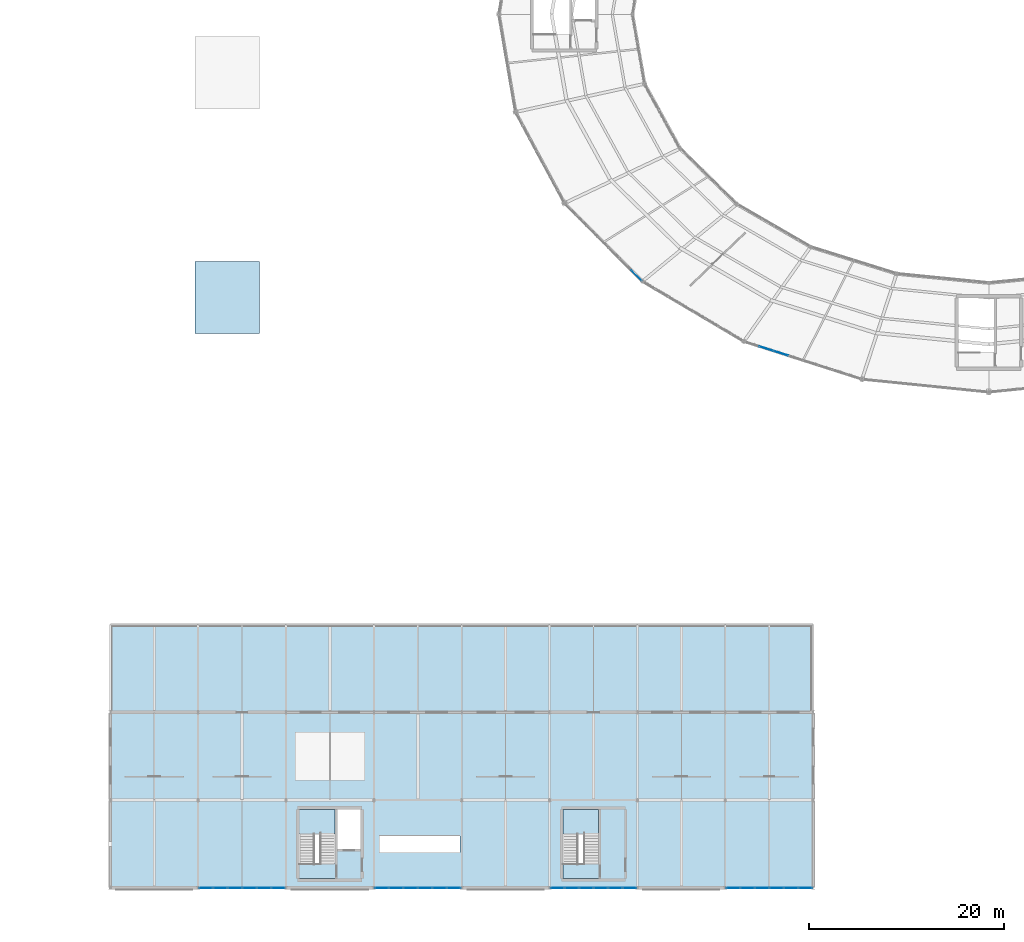
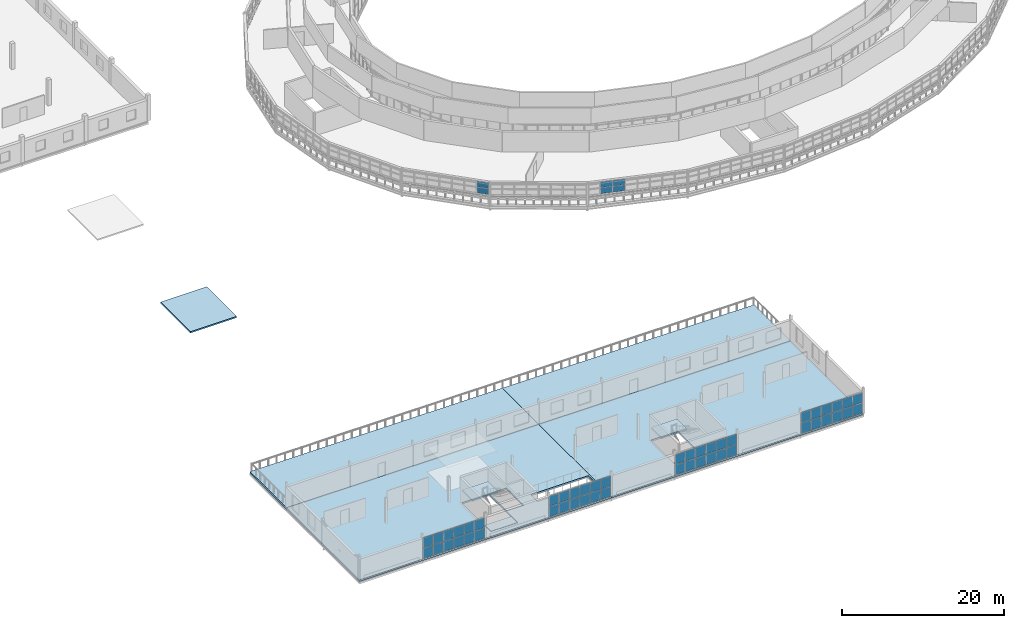
# One storey, part 76 of 123: 54 plates, 9 slabs, 8 elements without a shape of their own.
"""IFC4 building model written with IfcOpenShell, lengths in metres."""

from ifc_helpers import new_model, si_unit, direction, frame, origin, origin_2d, place, context, subcontext, project, spatial, polyline, rectangle, outline, extrude, material, layer, layer_set, type_object, element, aggregate, save


model = new_model("IFC4")

# Units and contexts
model_context = context("Model", 3, precision=1e-05, world=origin(), true_north=direction((0.0, 1.0)))
body_context = subcontext(model_context, "Body", "Model", "MODEL_VIEW")
ifc_project = project(units=[si_unit("LENGTHUNIT", "METRE"), si_unit("AREAUNIT", "SQUARE_METRE"), si_unit("VOLUMEUNIT", "CUBIC_METRE"), si_unit("PLANEANGLEUNIT", "RADIAN"), si_unit("MASSUNIT", "GRAM", prefix="KILO")], contexts=[model_context])

# Site, building, storey
site_placement = place(None, origin())
site = spatial("IfcSite", under=ifc_project, at=site_placement, CompositionType="ELEMENT")
building_placement = place(site_placement, origin())
building = spatial("IfcBuilding", under=site, at=building_placement, Name="Kildeholm Park Wholesale Market", CompositionType="ELEMENT")
storey_placement = place(building_placement, frame((0.0, 0.0, 9.60009765625)))
storey = spatial("IfcBuildingStorey", under=building, at=storey_placement, Name="L02", CompositionType="ELEMENT", Elevation=9.60009765625)

# Curtain wall, plates
ifc_material_1 = material(Name="Anodised aluminium and low-E double-glazed glass", Category="aluminium")
curtain_wall_type_1 = type_object("IfcCurtainWallType", Name="Park wing thermally broken curtain wall CW-03", PredefinedType="NOTDEFINED", material=ifc_material_1)
curtain_wall_1_placement = place(storey_placement, origin())
curtain_wall_1 = element("IfcCurtainWall", 1, at=curtain_wall_1_placement, inside=storey, type_object=curtain_wall_type_1, Name="Curtain wall CW-V5W-L02-S-02 CW-0147", PredefinedType="NOTDEFINED")
ifc_material_2 = material(Name="Triple-glazed solar-control glass", Category="glass")
ifc_layer_1 = layer(ifc_material_2, 0.035888671875)
ifc_layer_set_1 = layer_set([ifc_layer_1], Name="Triple-glazed solar-control glass")
plate_type_1 = type_object("IfcPlateType", Name="Curtain-wall panel CWP-2 36 mm", PredefinedType="CURTAIN_PANEL", material=ifc_layer_set_1)
plate_1_placement = place(storey_placement, frame((18.802001953125, 0.0, 0.07470703125), z_axis=(0.0, 0.0, 1.0), x_axis=(1.0, 0.0, 0.0)))
plate_1 = element("IfcPlate", 2, at=plate_1_placement, type_object=plate_type_1, Name="CW-03 panel 1.1 PLT-2172", PredefinedType="CURTAIN_PANEL", context=body_context, shape_type="SweptSolid", body=[
    extrude(rectangle(XDim=1.374267578125, YDim=0.035888671875, at=origin_2d()), origin(), (0.0, 0.0, 1.0), 1.512451171875),
])
plate_2_placement = place(storey_placement, frame((18.802001953125, 0.0, 1.66259765625), z_axis=(0.0, 0.0, 1.0), x_axis=(1.0, 0.0, 0.0)))
plate_2 = element("IfcPlate", 3, at=plate_2_placement, type_object=plate_type_1, Name="CW-03 panel 1.2 PLT-2173", PredefinedType="CURTAIN_PANEL", context=body_context, shape_type="SweptSolid", body=[
    extrude(rectangle(XDim=1.374267578125, YDim=0.035888671875, at=origin_2d()), origin(), (0.0, 0.0, 1.0), 1.512451171875),
])
plate_3_placement = place(storey_placement, frame((20.27001953125, 0.0, 0.07470703125), z_axis=(0.0, 0.0, 1.0), x_axis=(1.0, 0.0, 0.0)))
plate_3 = element("IfcPlate", 4, at=plate_3_placement, type_object=plate_type_1, Name="CW-03 panel 2.1 PLT-2174", PredefinedType="CURTAIN_PANEL", context=body_context, shape_type="SweptSolid", body=[
    extrude(rectangle(XDim=1.41162109375, YDim=0.035888671875, at=origin_2d()), origin(), (0.0, 0.0, 1.0), 1.512451171875),
])
plate_4_placement = place(storey_placement, frame((20.27001953125, 0.0, 1.66259765625), z_axis=(0.0, 0.0, 1.0), x_axis=(1.0, 0.0, 0.0)))
plate_4 = element("IfcPlate", 5, at=plate_4_placement, type_object=plate_type_1, Name="CW-03 panel 2.2 PLT-2175", PredefinedType="CURTAIN_PANEL", context=body_context, shape_type="SweptSolid", body=[
    extrude(rectangle(XDim=1.41162109375, YDim=0.035888671875, at=origin_2d()), origin(), (0.0, 0.0, 1.0), 1.512451171875),
])
plate_5_placement = place(storey_placement, frame((21.756591796875, 0.0, 0.07470703125), z_axis=(0.0, 0.0, 1.0), x_axis=(1.0, 0.0, 0.0)))
plate_5 = element("IfcPlate", 6, at=plate_5_placement, type_object=plate_type_1, Name="CW-03 panel 3.1 PLT-2176", PredefinedType="CURTAIN_PANEL", context=body_context, shape_type="SweptSolid", body=[
    extrude(rectangle(XDim=1.41162109375, YDim=0.035888671875, at=origin_2d()), origin(), (0.0, 0.0, 1.0), 1.512451171875),
])
plate_6_placement = place(storey_placement, frame((21.756591796875, 0.0, 1.66259765625), z_axis=(0.0, 0.0, 1.0), x_axis=(1.0, 0.0, 0.0)))
plate_6 = element("IfcPlate", 7, at=plate_6_placement, type_object=plate_type_1, Name="CW-03 panel 3.2 PLT-2177", PredefinedType="CURTAIN_PANEL", context=body_context, shape_type="SweptSolid", body=[
    extrude(rectangle(XDim=1.41162109375, YDim=0.035888671875, at=origin_2d()), origin(), (0.0, 0.0, 1.0), 1.512451171875),
])
plate_7_placement = place(storey_placement, frame((23.243408203125, 0.0, 0.07470703125), z_axis=(0.0, 0.0, 1.0), x_axis=(1.0, 0.0, 0.0)))
plate_7 = element("IfcPlate", 8, at=plate_7_placement, type_object=plate_type_1, Name="CW-03 panel 4.1 PLT-2178", PredefinedType="CURTAIN_PANEL", context=body_context, shape_type="SweptSolid", body=[
    extrude(rectangle(XDim=1.41162109375, YDim=0.035888671875, at=origin_2d()), origin(), (0.0, 0.0, 1.0), 1.512451171875),
])
plate_8_placement = place(storey_placement, frame((23.243408203125, 0.0, 1.66259765625), z_axis=(0.0, 0.0, 1.0), x_axis=(1.0, 0.0, 0.0)))
plate_8 = element("IfcPlate", 9, at=plate_8_placement, type_object=plate_type_1, Name="CW-03 panel 4.2 PLT-2179", PredefinedType="CURTAIN_PANEL", context=body_context, shape_type="SweptSolid", body=[
    extrude(rectangle(XDim=1.41162109375, YDim=0.035888671875, at=origin_2d()), origin(), (0.0, 0.0, 1.0), 1.512451171875),
])
plate_9_placement = place(storey_placement, frame((24.72998046875, 0.0, 0.07470703125), z_axis=(0.0, 0.0, 1.0), x_axis=(1.0, 0.0, 0.0)))
plate_9 = element("IfcPlate", 10, at=plate_9_placement, type_object=plate_type_1, Name="CW-03 panel 5.1 PLT-2180", PredefinedType="CURTAIN_PANEL", context=body_context, shape_type="SweptSolid", body=[
    extrude(rectangle(XDim=1.41162109375, YDim=0.035888671875, at=origin_2d()), origin(), (0.0, 0.0, 1.0), 1.512451171875),
])
plate_10_placement = place(storey_placement, frame((24.72998046875, 0.0, 1.66259765625), z_axis=(0.0, 0.0, 1.0), x_axis=(1.0, 0.0, 0.0)))
plate_10 = element("IfcPlate", 11, at=plate_10_placement, type_object=plate_type_1, Name="CW-03 panel 5.2 PLT-2181", PredefinedType="CURTAIN_PANEL", context=body_context, shape_type="SweptSolid", body=[
    extrude(rectangle(XDim=1.41162109375, YDim=0.035888671875, at=origin_2d()), origin(), (0.0, 0.0, 1.0), 1.512451171875),
])
plate_11_placement = place(storey_placement, frame((26.197998046875, 0.0, 0.07470703125), z_axis=(0.0, 0.0, 1.0), x_axis=(1.0, 0.0, 0.0)))
plate_11 = element("IfcPlate", 12, at=plate_11_placement, type_object=plate_type_1, Name="CW-03 panel 6.1 PLT-2182", PredefinedType="CURTAIN_PANEL", context=body_context, shape_type="SweptSolid", body=[
    extrude(rectangle(XDim=1.374267578125, YDim=0.035888671875, at=origin_2d()), origin(), (0.0, 0.0, 1.0), 1.512451171875),
])
plate_12_placement = place(storey_placement, frame((26.197998046875, 0.0, 1.66259765625), z_axis=(0.0, 0.0, 1.0), x_axis=(1.0, 0.0, 0.0)))
plate_12 = element("IfcPlate", 13, at=plate_12_placement, type_object=plate_type_1, Name="CW-03 panel 6.2 PLT-2183", PredefinedType="CURTAIN_PANEL", context=body_context, shape_type="SweptSolid", body=[
    extrude(rectangle(XDim=1.374267578125, YDim=0.035888671875, at=origin_2d()), origin(), (0.0, 0.0, 1.0), 1.512451171875),
])
aggregate(curtain_wall_1, [plate_1, plate_2, plate_3, plate_4, plate_5, plate_6, plate_7, plate_8, plate_9, plate_10, plate_11, plate_12])

curtain_wall_2_placement = place(storey_placement, origin())
curtain_wall_2 = element("IfcCurtainWall", 14, at=curtain_wall_2_placement, inside=storey, type_object=curtain_wall_type_1, Name="Curtain wall CW-V5W-L02-S-04 CW-0148", PredefinedType="NOTDEFINED")
plate_13_placement = place(storey_placement, frame((36.802001953125, 0.0, 0.07470703125), z_axis=(0.0, 0.0, 1.0), x_axis=(1.0, 0.0, 0.0)))
plate_13 = element("IfcPlate", 15, at=plate_13_placement, type_object=plate_type_1, Name="CW-03 panel 1.1 PLT-2184", PredefinedType="CURTAIN_PANEL", context=body_context, shape_type="SweptSolid", body=[
    extrude(rectangle(XDim=1.374267578125, YDim=0.035888671875, at=origin_2d()), origin(), (0.0, 0.0, 1.0), 1.512451171875),
])
plate_14_placement = place(storey_placement, frame((36.802001953125, 0.0, 1.66259765625), z_axis=(0.0, 0.0, 1.0), x_axis=(1.0, 0.0, 0.0)))
plate_14 = element("IfcPlate", 16, at=plate_14_placement, type_object=plate_type_1, Name="CW-03 panel 1.2 PLT-2185", PredefinedType="CURTAIN_PANEL", context=body_context, shape_type="SweptSolid", body=[
    extrude(rectangle(XDim=1.374267578125, YDim=0.035888671875, at=origin_2d()), origin(), (0.0, 0.0, 1.0), 1.512451171875),
])
plate_15_placement = place(storey_placement, frame((38.27001953125, 0.0, 0.07470703125), z_axis=(0.0, 0.0, 1.0), x_axis=(1.0, 0.0, 0.0)))
plate_15 = element("IfcPlate", 17, at=plate_15_placement, type_object=plate_type_1, Name="CW-03 panel 2.1 PLT-2186", PredefinedType="CURTAIN_PANEL", context=body_context, shape_type="SweptSolid", body=[
    extrude(rectangle(XDim=1.41162109375, YDim=0.035888671875, at=origin_2d()), origin(), (0.0, 0.0, 1.0), 1.512451171875),
])
plate_16_placement = place(storey_placement, frame((38.27001953125, 0.0, 1.66259765625), z_axis=(0.0, 0.0, 1.0), x_axis=(1.0, 0.0, 0.0)))
plate_16 = element("IfcPlate", 18, at=plate_16_placement, type_object=plate_type_1, Name="CW-03 panel 2.2 PLT-2187", PredefinedType="CURTAIN_PANEL", context=body_context, shape_type="SweptSolid", body=[
    extrude(rectangle(XDim=1.41162109375, YDim=0.035888671875, at=origin_2d()), origin(), (0.0, 0.0, 1.0), 1.512451171875),
])
plate_17_placement = place(storey_placement, frame((39.756591796875, 0.0, 0.07470703125), z_axis=(0.0, 0.0, 1.0), x_axis=(1.0, 0.0, 0.0)))
plate_17 = element("IfcPlate", 19, at=plate_17_placement, type_object=plate_type_1, Name="CW-03 panel 3.1 PLT-2188", PredefinedType="CURTAIN_PANEL", context=body_context, shape_type="SweptSolid", body=[
    extrude(rectangle(XDim=1.41162109375, YDim=0.035888671875, at=origin_2d()), origin(), (0.0, 0.0, 1.0), 1.512451171875),
])
plate_18_placement = place(storey_placement, frame((39.756591796875, 0.0, 1.66259765625), z_axis=(0.0, 0.0, 1.0), x_axis=(1.0, 0.0, 0.0)))
plate_18 = element("IfcPlate", 20, at=plate_18_placement, type_object=plate_type_1, Name="CW-03 panel 3.2 PLT-2189", PredefinedType="CURTAIN_PANEL", context=body_context, shape_type="SweptSolid", body=[
    extrude(rectangle(XDim=1.41162109375, YDim=0.035888671875, at=origin_2d()), origin(), (0.0, 0.0, 1.0), 1.512451171875),
])
plate_19_placement = place(storey_placement, frame((41.243408203125, 0.0, 0.07470703125), z_axis=(0.0, 0.0, 1.0), x_axis=(1.0, 0.0, 0.0)))
plate_19 = element("IfcPlate", 21, at=plate_19_placement, type_object=plate_type_1, Name="CW-03 panel 4.1 PLT-2190", PredefinedType="CURTAIN_PANEL", context=body_context, shape_type="SweptSolid", body=[
    extrude(rectangle(XDim=1.41162109375, YDim=0.035888671875, at=origin_2d()), origin(), (0.0, 0.0, 1.0), 1.512451171875),
])
plate_20_placement = place(storey_placement, frame((41.243408203125, 0.0, 1.66259765625), z_axis=(0.0, 0.0, 1.0), x_axis=(1.0, 0.0, 0.0)))
plate_20 = element("IfcPlate", 22, at=plate_20_placement, type_object=plate_type_1, Name="CW-03 panel 4.2 PLT-2191", PredefinedType="CURTAIN_PANEL", context=body_context, shape_type="SweptSolid", body=[
    extrude(rectangle(XDim=1.41162109375, YDim=0.035888671875, at=origin_2d()), origin(), (0.0, 0.0, 1.0), 1.512451171875),
])
plate_21_placement = place(storey_placement, frame((42.72998046875, 0.0, 0.07470703125), z_axis=(0.0, 0.0, 1.0), x_axis=(1.0, 0.0, 0.0)))
plate_21 = element("IfcPlate", 23, at=plate_21_placement, type_object=plate_type_1, Name="CW-03 panel 5.1 PLT-2192", PredefinedType="CURTAIN_PANEL", context=body_context, shape_type="SweptSolid", body=[
    extrude(rectangle(XDim=1.41162109375, YDim=0.035888671875, at=origin_2d()), origin(), (0.0, 0.0, 1.0), 1.512451171875),
])
plate_22_placement = place(storey_placement, frame((42.72998046875, 0.0, 1.66259765625), z_axis=(0.0, 0.0, 1.0), x_axis=(1.0, 0.0, 0.0)))
plate_22 = element("IfcPlate", 24, at=plate_22_placement, type_object=plate_type_1, Name="CW-03 panel 5.2 PLT-2193", PredefinedType="CURTAIN_PANEL", context=body_context, shape_type="SweptSolid", body=[
    extrude(rectangle(XDim=1.41162109375, YDim=0.035888671875, at=origin_2d()), origin(), (0.0, 0.0, 1.0), 1.512451171875),
])
plate_23_placement = place(storey_placement, frame((44.197998046875, 0.0, 0.07470703125), z_axis=(0.0, 0.0, 1.0), x_axis=(1.0, 0.0, 0.0)))
plate_23 = element("IfcPlate", 25, at=plate_23_placement, type_object=plate_type_1, Name="CW-03 panel 6.1 PLT-2194", PredefinedType="CURTAIN_PANEL", context=body_context, shape_type="SweptSolid", body=[
    extrude(rectangle(XDim=1.374267578125, YDim=0.035888671875, at=origin_2d()), origin(), (0.0, 0.0, 1.0), 1.512451171875),
])
plate_24_placement = place(storey_placement, frame((44.197998046875, 0.0, 1.66259765625), z_axis=(0.0, 0.0, 1.0), x_axis=(1.0, 0.0, 0.0)))
plate_24 = element("IfcPlate", 26, at=plate_24_placement, type_object=plate_type_1, Name="CW-03 panel 6.2 PLT-2195", PredefinedType="CURTAIN_PANEL", context=body_context, shape_type="SweptSolid", body=[
    extrude(rectangle(XDim=1.374267578125, YDim=0.035888671875, at=origin_2d()), origin(), (0.0, 0.0, 1.0), 1.512451171875),
])
aggregate(curtain_wall_2, [plate_13, plate_14, plate_15, plate_16, plate_17, plate_18, plate_19, plate_20, plate_21, plate_22, plate_23, plate_24])

curtain_wall_3_placement = place(storey_placement, origin())
curtain_wall_3 = element("IfcCurtainWall", 27, at=curtain_wall_3_placement, inside=storey, type_object=curtain_wall_type_1, Name="Curtain wall CW-V5W-L02-S-06 CW-0149", PredefinedType="NOTDEFINED")
plate_25_placement = place(storey_placement, frame((54.802001953125, 0.0, 0.07470703125), z_axis=(0.0, 0.0, 1.0), x_axis=(1.0, 0.0, 0.0)))
plate_25 = element("IfcPlate", 28, at=plate_25_placement, type_object=plate_type_1, Name="CW-03 panel 1.1 PLT-2196", PredefinedType="CURTAIN_PANEL", context=body_context, shape_type="SweptSolid", body=[
    extrude(rectangle(XDim=1.374267578125, YDim=0.035888671875, at=origin_2d()), origin(), (0.0, 0.0, 1.0), 1.512451171875),
])
plate_26_placement = place(storey_placement, frame((54.802001953125, 0.0, 1.66259765625), z_axis=(0.0, 0.0, 1.0), x_axis=(1.0, 0.0, 0.0)))
plate_26 = element("IfcPlate", 29, at=plate_26_placement, type_object=plate_type_1, Name="CW-03 panel 1.2 PLT-2197", PredefinedType="CURTAIN_PANEL", context=body_context, shape_type="SweptSolid", body=[
    extrude(rectangle(XDim=1.374267578125, YDim=0.035888671875, at=origin_2d()), origin(), (0.0, 0.0, 1.0), 1.512451171875),
])
plate_27_placement = place(storey_placement, frame((56.27001953125, 0.0, 0.07470703125), z_axis=(0.0, 0.0, 1.0), x_axis=(1.0, 0.0, 0.0)))
plate_27 = element("IfcPlate", 30, at=plate_27_placement, type_object=plate_type_1, Name="CW-03 panel 2.1 PLT-2198", PredefinedType="CURTAIN_PANEL", context=body_context, shape_type="SweptSolid", body=[
    extrude(rectangle(XDim=1.41162109375, YDim=0.035888671875, at=origin_2d()), origin(), (0.0, 0.0, 1.0), 1.512451171875),
])
plate_28_placement = place(storey_placement, frame((56.27001953125, 0.0, 1.66259765625), z_axis=(0.0, 0.0, 1.0), x_axis=(1.0, 0.0, 0.0)))
plate_28 = element("IfcPlate", 31, at=plate_28_placement, type_object=plate_type_1, Name="CW-03 panel 2.2 PLT-2199", PredefinedType="CURTAIN_PANEL", context=body_context, shape_type="SweptSolid", body=[
    extrude(rectangle(XDim=1.41162109375, YDim=0.035888671875, at=origin_2d()), origin(), (0.0, 0.0, 1.0), 1.512451171875),
])
plate_29_placement = place(storey_placement, frame((57.756591796875, 0.0, 0.07470703125), z_axis=(0.0, 0.0, 1.0), x_axis=(1.0, 0.0, 0.0)))
plate_29 = element("IfcPlate", 32, at=plate_29_placement, type_object=plate_type_1, Name="CW-03 panel 3.1 PLT-2200", PredefinedType="CURTAIN_PANEL", context=body_context, shape_type="SweptSolid", body=[
    extrude(rectangle(XDim=1.41162109375, YDim=0.035888671875, at=origin_2d()), origin(), (0.0, 0.0, 1.0), 1.512451171875),
])
plate_30_placement = place(storey_placement, frame((57.756591796875, 0.0, 1.66259765625), z_axis=(0.0, 0.0, 1.0), x_axis=(1.0, 0.0, 0.0)))
plate_30 = element("IfcPlate", 33, at=plate_30_placement, type_object=plate_type_1, Name="CW-03 panel 3.2 PLT-2201", PredefinedType="CURTAIN_PANEL", context=body_context, shape_type="SweptSolid", body=[
    extrude(rectangle(XDim=1.41162109375, YDim=0.035888671875, at=origin_2d()), origin(), (0.0, 0.0, 1.0), 1.512451171875),
])
plate_31_placement = place(storey_placement, frame((59.243408203125, 0.0, 0.07470703125), z_axis=(0.0, 0.0, 1.0), x_axis=(1.0, 0.0, 0.0)))
plate_31 = element("IfcPlate", 34, at=plate_31_placement, type_object=plate_type_1, Name="CW-03 panel 4.1 PLT-2202", PredefinedType="CURTAIN_PANEL", context=body_context, shape_type="SweptSolid", body=[
    extrude(rectangle(XDim=1.41162109375, YDim=0.035888671875, at=origin_2d()), origin(), (0.0, 0.0, 1.0), 1.512451171875),
])
plate_32_placement = place(storey_placement, frame((59.243408203125, 0.0, 1.66259765625), z_axis=(0.0, 0.0, 1.0), x_axis=(1.0, 0.0, 0.0)))
plate_32 = element("IfcPlate", 35, at=plate_32_placement, type_object=plate_type_1, Name="CW-03 panel 4.2 PLT-2203", PredefinedType="CURTAIN_PANEL", context=body_context, shape_type="SweptSolid", body=[
    extrude(rectangle(XDim=1.41162109375, YDim=0.035888671875, at=origin_2d()), origin(), (0.0, 0.0, 1.0), 1.512451171875),
])
plate_33_placement = place(storey_placement, frame((60.72998046875, 0.0, 0.07470703125), z_axis=(0.0, 0.0, 1.0), x_axis=(1.0, 0.0, 0.0)))
plate_33 = element("IfcPlate", 36, at=plate_33_placement, type_object=plate_type_1, Name="CW-03 panel 5.1 PLT-2204", PredefinedType="CURTAIN_PANEL", context=body_context, shape_type="SweptSolid", body=[
    extrude(rectangle(XDim=1.41162109375, YDim=0.035888671875, at=origin_2d()), origin(), (0.0, 0.0, 1.0), 1.512451171875),
])
plate_34_placement = place(storey_placement, frame((60.72998046875, 0.0, 1.66259765625), z_axis=(0.0, 0.0, 1.0), x_axis=(1.0, 0.0, 0.0)))
plate_34 = element("IfcPlate", 37, at=plate_34_placement, type_object=plate_type_1, Name="CW-03 panel 5.2 PLT-2205", PredefinedType="CURTAIN_PANEL", context=body_context, shape_type="SweptSolid", body=[
    extrude(rectangle(XDim=1.41162109375, YDim=0.035888671875, at=origin_2d()), origin(), (0.0, 0.0, 1.0), 1.512451171875),
])
plate_35_placement = place(storey_placement, frame((62.197998046875, 0.0, 0.07470703125), z_axis=(0.0, 0.0, 1.0), x_axis=(1.0, 0.0, 0.0)))
plate_35 = element("IfcPlate", 38, at=plate_35_placement, type_object=plate_type_1, Name="CW-03 panel 6.1 PLT-2206", PredefinedType="CURTAIN_PANEL", context=body_context, shape_type="SweptSolid", body=[
    extrude(rectangle(XDim=1.374267578125, YDim=0.035888671875, at=origin_2d()), origin(), (0.0, 0.0, 1.0), 1.512451171875),
])
plate_36_placement = place(storey_placement, frame((62.197998046875, 0.0, 1.66259765625), z_axis=(0.0, 0.0, 1.0), x_axis=(1.0, 0.0, 0.0)))
plate_36 = element("IfcPlate", 39, at=plate_36_placement, type_object=plate_type_1, Name="CW-03 panel 6.2 PLT-2207", PredefinedType="CURTAIN_PANEL", context=body_context, shape_type="SweptSolid", body=[
    extrude(rectangle(XDim=1.374267578125, YDim=0.035888671875, at=origin_2d()), origin(), (0.0, 0.0, 1.0), 1.512451171875),
])
aggregate(curtain_wall_3, [plate_25, plate_26, plate_27, plate_28, plate_29, plate_30, plate_31, plate_32, plate_33, plate_34, plate_35, plate_36])

curtain_wall_4_placement = place(storey_placement, origin())
curtain_wall_4 = element("IfcCurtainWall", 40, at=curtain_wall_4_placement, inside=storey, type_object=curtain_wall_type_1, Name="Curtain wall CW-V5W-L02-S-08 CW-0150", PredefinedType="NOTDEFINED")
plate_37_placement = place(storey_placement, frame((72.802001953125, 0.0, 0.07470703125), z_axis=(0.0, 0.0, 1.0), x_axis=(1.0, 0.0, 0.0)))
plate_37 = element("IfcPlate", 41, at=plate_37_placement, type_object=plate_type_1, Name="CW-03 panel 1.1 PLT-2208", PredefinedType="CURTAIN_PANEL", context=body_context, shape_type="SweptSolid", body=[
    extrude(rectangle(XDim=1.374267578125, YDim=0.035888671875, at=origin_2d()), origin(), (0.0, 0.0, 1.0), 1.512451171875),
])
plate_38_placement = place(storey_placement, frame((72.802001953125, 0.0, 1.66259765625), z_axis=(0.0, 0.0, 1.0), x_axis=(1.0, 0.0, 0.0)))
plate_38 = element("IfcPlate", 42, at=plate_38_placement, type_object=plate_type_1, Name="CW-03 panel 1.2 PLT-2209", PredefinedType="CURTAIN_PANEL", context=body_context, shape_type="SweptSolid", body=[
    extrude(rectangle(XDim=1.374267578125, YDim=0.035888671875, at=origin_2d()), origin(), (0.0, 0.0, 1.0), 1.512451171875),
])
plate_39_placement = place(storey_placement, frame((74.27001953125, 0.0, 0.07470703125), z_axis=(0.0, 0.0, 1.0), x_axis=(1.0, 0.0, 0.0)))
plate_39 = element("IfcPlate", 43, at=plate_39_placement, type_object=plate_type_1, Name="CW-03 panel 2.1 PLT-2210", PredefinedType="CURTAIN_PANEL", context=body_context, shape_type="SweptSolid", body=[
    extrude(rectangle(XDim=1.41162109375, YDim=0.035888671875, at=origin_2d()), origin(), (0.0, 0.0, 1.0), 1.512451171875),
])
plate_40_placement = place(storey_placement, frame((74.27001953125, 0.0, 1.66259765625), z_axis=(0.0, 0.0, 1.0), x_axis=(1.0, 0.0, 0.0)))
plate_40 = element("IfcPlate", 44, at=plate_40_placement, type_object=plate_type_1, Name="CW-03 panel 2.2 PLT-2211", PredefinedType="CURTAIN_PANEL", context=body_context, shape_type="SweptSolid", body=[
    extrude(rectangle(XDim=1.41162109375, YDim=0.035888671875, at=origin_2d()), origin(), (0.0, 0.0, 1.0), 1.512451171875),
])
plate_41_placement = place(storey_placement, frame((75.756591796875, 0.0, 0.07470703125), z_axis=(0.0, 0.0, 1.0), x_axis=(1.0, 0.0, 0.0)))
plate_41 = element("IfcPlate", 45, at=plate_41_placement, type_object=plate_type_1, Name="CW-03 panel 3.1 PLT-2212", PredefinedType="CURTAIN_PANEL", context=body_context, shape_type="SweptSolid", body=[
    extrude(rectangle(XDim=1.41162109375, YDim=0.035888671875, at=origin_2d()), origin(), (0.0, 0.0, 1.0), 1.512451171875),
])
plate_42_placement = place(storey_placement, frame((75.756591796875, 0.0, 1.66259765625), z_axis=(0.0, 0.0, 1.0), x_axis=(1.0, 0.0, 0.0)))
plate_42 = element("IfcPlate", 46, at=plate_42_placement, type_object=plate_type_1, Name="CW-03 panel 3.2 PLT-2213", PredefinedType="CURTAIN_PANEL", context=body_context, shape_type="SweptSolid", body=[
    extrude(rectangle(XDim=1.41162109375, YDim=0.035888671875, at=origin_2d()), origin(), (0.0, 0.0, 1.0), 1.512451171875),
])
plate_43_placement = place(storey_placement, frame((77.243408203125, 0.0, 0.07470703125), z_axis=(0.0, 0.0, 1.0), x_axis=(1.0, 0.0, 0.0)))
plate_43 = element("IfcPlate", 47, at=plate_43_placement, type_object=plate_type_1, Name="CW-03 panel 4.1 PLT-2214", PredefinedType="CURTAIN_PANEL", context=body_context, shape_type="SweptSolid", body=[
    extrude(rectangle(XDim=1.41162109375, YDim=0.035888671875, at=origin_2d()), origin(), (0.0, 0.0, 1.0), 1.512451171875),
])
plate_44_placement = place(storey_placement, frame((77.243408203125, 0.0, 1.66259765625), z_axis=(0.0, 0.0, 1.0), x_axis=(1.0, 0.0, 0.0)))
plate_44 = element("IfcPlate", 48, at=plate_44_placement, type_object=plate_type_1, Name="CW-03 panel 4.2 PLT-2215", PredefinedType="CURTAIN_PANEL", context=body_context, shape_type="SweptSolid", body=[
    extrude(rectangle(XDim=1.41162109375, YDim=0.035888671875, at=origin_2d()), origin(), (0.0, 0.0, 1.0), 1.512451171875),
])
plate_45_placement = place(storey_placement, frame((78.72998046875, 0.0, 0.07470703125), z_axis=(0.0, 0.0, 1.0), x_axis=(1.0, 0.0, 0.0)))
plate_45 = element("IfcPlate", 49, at=plate_45_placement, type_object=plate_type_1, Name="CW-03 panel 5.1 PLT-2216", PredefinedType="CURTAIN_PANEL", context=body_context, shape_type="SweptSolid", body=[
    extrude(rectangle(XDim=1.41162109375, YDim=0.035888671875, at=origin_2d()), origin(), (0.0, 0.0, 1.0), 1.512451171875),
])
plate_46_placement = place(storey_placement, frame((78.72998046875, 0.0, 1.66259765625), z_axis=(0.0, 0.0, 1.0), x_axis=(1.0, 0.0, 0.0)))
plate_46 = element("IfcPlate", 50, at=plate_46_placement, type_object=plate_type_1, Name="CW-03 panel 5.2 PLT-2217", PredefinedType="CURTAIN_PANEL", context=body_context, shape_type="SweptSolid", body=[
    extrude(rectangle(XDim=1.41162109375, YDim=0.035888671875, at=origin_2d()), origin(), (0.0, 0.0, 1.0), 1.512451171875),
])
plate_47_placement = place(storey_placement, frame((80.197998046875, 0.0, 0.07470703125), z_axis=(0.0, 0.0, 1.0), x_axis=(1.0, 0.0, 0.0)))
plate_47 = element("IfcPlate", 51, at=plate_47_placement, type_object=plate_type_1, Name="CW-03 panel 6.1 PLT-2218", PredefinedType="CURTAIN_PANEL", context=body_context, shape_type="SweptSolid", body=[
    extrude(rectangle(XDim=1.374267578125, YDim=0.035888671875, at=origin_2d()), origin(), (0.0, 0.0, 1.0), 1.512451171875),
])
plate_48_placement = place(storey_placement, frame((80.197998046875, 0.0, 1.66259765625), z_axis=(0.0, 0.0, 1.0), x_axis=(1.0, 0.0, 0.0)))
plate_48 = element("IfcPlate", 52, at=plate_48_placement, type_object=plate_type_1, Name="CW-03 panel 6.2 PLT-2219", PredefinedType="CURTAIN_PANEL", context=body_context, shape_type="SweptSolid", body=[
    extrude(rectangle(XDim=1.374267578125, YDim=0.035888671875, at=origin_2d()), origin(), (0.0, 0.0, 1.0), 1.512451171875),
])
aggregate(curtain_wall_4, [plate_37, plate_38, plate_39, plate_40, plate_41, plate_42, plate_43, plate_44, plate_45, plate_46, plate_47, plate_48])

curtain_wall_type_2 = type_object("IfcCurtainWallType", Name="Clerestory daylight stick curtain wall CW-02", PredefinedType="NOTDEFINED", material=ifc_material_1)
curtain_wall_5_placement = place(storey_placement, origin())
curtain_wall_5 = element("IfcCurtainWall", 53, at=curtain_wall_5_placement, inside=storey, type_object=curtain_wall_type_2, Name="Curtain wall CW-V1-CL-14 CW-0070", PredefinedType="NOTDEFINED")
ifc_material_3 = material(Name="Fritted solar-control clerestory glass", Category="glass")
ifc_layer_2 = layer(ifc_material_3, 0.031982421875)
ifc_layer_set_2 = layer_set([ifc_layer_2], Name="Fritted solar-control clerestory glass")
plate_type_2 = type_object("IfcPlateType", Name="Curtain-wall panel CWP-4 32 mm", PredefinedType="CURTAIN_PANEL", material=ifc_layer_set_2)
plate_49_placement = place(storey_placement, frame((62.8935546875, 62.739013671875, 1.40966796875), z_axis=(0.0, 0.0, 1.0), x_axis=(0.705412692399, -0.708796820959, 0.0)))
plate_49 = element("IfcPlate", 54, at=plate_49_placement, type_object=plate_type_2, Name="CW-02 panel 7.1 PLT-1094", PredefinedType="CURTAIN_PANEL", context=body_context, shape_type="SweptSolid", body=[
    extrude(rectangle(XDim=1.51416015625, YDim=0.031982421875, at=origin_2d()), origin(), (0.0, 0.0, 1.0), 0.860107421875),
])
plate_50_placement = place(storey_placement, frame((62.8935546875, 62.739013671875, 2.330078125), z_axis=(0.0, 0.0, 1.0), x_axis=(0.705412692399, -0.708796820959, 0.0)))
plate_50 = element("IfcPlate", 55, at=plate_50_placement, type_object=plate_type_2, Name="CW-02 panel 7.2 PLT-1095", PredefinedType="CURTAIN_PANEL", context=body_context, shape_type="SweptSolid", body=[
    extrude(rectangle(XDim=1.51416015625, YDim=0.031982421875, at=origin_2d()), origin(), (0.0, 0.0, 1.0), 0.860107421875),
])
aggregate(curtain_wall_5, [plate_49, plate_50])

curtain_wall_6_placement = place(storey_placement, origin())
curtain_wall_6 = element("IfcCurtainWall", 56, at=curtain_wall_6_placement, inside=storey, type_object=curtain_wall_type_2, Name="Curtain wall CW-V1-CL-16 CW-0080", PredefinedType="NOTDEFINED")
plate_51_placement = place(storey_placement, frame((76.19189453125, 55.24853515625, 1.40966796875), z_axis=(0.0, 0.0, 1.0), x_axis=(0.952606009241, -0.304206822997, 0.0)))
plate_51 = element("IfcPlate", 57, at=plate_51_placement, type_object=plate_type_2, Name="CW-02 panel 2.1 PLT-1218", PredefinedType="CURTAIN_PANEL", context=body_context, shape_type="SweptSolid", body=[
    extrude(rectangle(XDim=1.518798828125, YDim=0.031982421875, at=origin_2d()), origin(), (0.0, 0.0, 1.0), 0.860107421875),
])
plate_52_placement = place(storey_placement, frame((76.19189453125, 55.24853515625, 2.330078125), z_axis=(0.0, 0.0, 1.0), x_axis=(0.952606009241, -0.304206822997, 0.0)))
plate_52 = element("IfcPlate", 58, at=plate_52_placement, type_object=plate_type_2, Name="CW-02 panel 2.2 PLT-1219", PredefinedType="CURTAIN_PANEL", context=body_context, shape_type="SweptSolid", body=[
    extrude(rectangle(XDim=1.518798828125, YDim=0.031982421875, at=origin_2d()), origin(), (0.0, 0.0, 1.0), 0.860107421875),
])
plate_53_placement = place(storey_placement, frame((77.69580078125, 54.768310546875, 1.40966796875), z_axis=(0.0, 0.0, 1.0), x_axis=(0.952606009241, -0.304206822997, 0.0)))
plate_53 = element("IfcPlate", 59, at=plate_53_placement, type_object=plate_type_2, Name="CW-02 panel 3.1 PLT-1220", PredefinedType="CURTAIN_PANEL", context=body_context, shape_type="SweptSolid", body=[
    extrude(rectangle(XDim=1.518798828125, YDim=0.031982421875, at=origin_2d()), origin(), (0.0, 0.0, 1.0), 0.860107421875),
])
plate_54_placement = place(storey_placement, frame((77.69580078125, 54.768310546875, 2.330078125), z_axis=(0.0, 0.0, 1.0), x_axis=(0.952606009241, -0.304206822997, 0.0)))
plate_54 = element("IfcPlate", 60, at=plate_54_placement, type_object=plate_type_2, Name="CW-02 panel 3.2 PLT-1221", PredefinedType="CURTAIN_PANEL", context=body_context, shape_type="SweptSolid", body=[
    extrude(rectangle(XDim=1.518798828125, YDim=0.031982421875, at=origin_2d()), origin(), (0.0, 0.0, 1.0), 0.860107421875),
])
aggregate(curtain_wall_6, [plate_51, plate_52, plate_53, plate_54])

# Slabs
ifc_material_4 = material(Name="Concrete C35/45", Category="concrete")
ifc_layer_3 = layer(ifc_material_4, 0.239990234375)
ifc_layer_set_3 = layer_set([ifc_layer_3], Name="Concrete C35/45")
slab_type_1 = type_object("IfcSlabType", Name="Slab S-FL2 240 mm", PredefinedType="FLOOR", material=ifc_layer_set_3)
slab_1_placement = place(storey_placement, frame((0.0, 0.0, -0.239990234375)))
element("IfcSlab", 61, at=slab_1_placement, inside=storey, type_object=slab_type_1, Name="V5W L02 slab M part 1 SLB-0372", PredefinedType="FLOOR", context=body_context, shape_type="SweptSolid", body=[
    extrude(outline(polyline([(9.0, 18.0), (45.0, 18.0), (45.0, 0.0), (9.0, 0.0), (9.0, 18.0)]), holes=[polyline([(32.179931640625, 8.080078125), (28.320068359375, 8.080078125), (28.320068359375, 0.919921875), (32.179931640625, 0.919921875), (32.179931640625, 8.080078125)]), polyline([(44.800048828125, 5.340087890625), (36.60009765625, 5.340087890625), (36.60009765625, 3.659912109375), (44.800048828125, 3.659912109375), (44.800048828125, 5.340087890625)]), polyline([(34.679931640625, 3.820068359375), (34.679931640625, 8.080078125), (32.280029296875, 8.080078125), (32.280029296875, 3.820068359375), (34.679931640625, 3.820068359375)])]), origin(), (0.0, 0.0, 1.0), 0.239990234375),
])
slab_2_placement = place(storey_placement, frame((0.0, 0.0, -0.239990234375)))
element("IfcSlab", 62, at=slab_2_placement, inside=storey, type_object=slab_type_1, Name="V5W L02 slab M part 2 SLB-0373", PredefinedType="FLOOR", context=body_context, shape_type="SweptSolid", body=[
    extrude(outline(polyline([(45.0, 18.0), (81.0, 18.0), (81.0, 0.0), (45.0, 0.0), (45.0, 18.0)]), holes=[polyline([(59.179931640625, 8.080078125), (55.320068359375, 8.080078125), (55.320068359375, 0.919921875), (59.179931640625, 0.919921875), (59.179931640625, 8.080078125)])]), origin(), (0.0, 0.0, 1.0), 0.239990234375),
])
ifc_layer_4 = layer(ifc_material_4, 0.199951171875)
ifc_layer_set_4 = layer_set([ifc_layer_4], Name="Concrete C35/45")
slab_type_2 = type_object("IfcSlabType", Name="Slab S-RF3 200 mm", PredefinedType="ROOF", material=ifc_layer_set_4)
slab_3_placement = place(storey_placement, frame((0.0, 0.0, -0.2001953125)))
element("IfcSlab", 63, at=slab_3_placement, inside=storey, type_object=slab_type_2, Name="Core C14 overrun cap slab SLB-0484", PredefinedType="ROOF", context=body_context, shape_type="SweptSolid", body=[
    extrude(outline(polyline([(17.699951171875, 64.199951171875), (24.300048828125, 64.199951171875), (24.300048828125, 56.800048828125), (17.699951171875, 56.800048828125), (17.699951171875, 64.199951171875)])), origin(), (0.0, 0.0, 1.0), 0.2001953125),
])
ifc_material_5 = material(Name="Concrete C40/50", Category="concrete")
ifc_layer_5 = layer(ifc_material_5, 0.2900390625)
ifc_layer_set_5 = layer_set([ifc_layer_5], Name="Concrete C40/50")
slab_type_3 = type_object("IfcSlabType", Name="Slab S-TR1 290 mm", PredefinedType="ROOF", material=ifc_layer_set_5)
slab_4_placement = place(storey_placement, frame((0.0, 0.0, -0.2900390625)))
element("IfcSlab", 64, at=slab_4_placement, inside=storey, type_object=slab_type_3, Name="V5W L02 slab TER part 1 SLB-0370", PredefinedType="ROOF", context=body_context, shape_type="SweptSolid", body=[
    extrude(outline(polyline([(9.0, 27.0), (45.0, 27.0), (45.0, 18.0), (9.0, 18.0), (9.0, 27.0)])), origin(), (0.0, 0.0, 1.0), 0.2900390625),
])
slab_5_placement = place(storey_placement, frame((0.0, 0.0, -0.2900390625)))
element("IfcSlab", 65, at=slab_5_placement, inside=storey, type_object=slab_type_3, Name="V5W L02 slab TER part 2 SLB-0371", PredefinedType="ROOF", context=body_context, shape_type="SweptSolid", body=[
    extrude(outline(polyline([(45.0, 27.0), (81.0, 27.0), (81.0, 18.0), (45.0, 18.0), (45.0, 27.0)])), origin(), (0.0, 0.0, 1.0), 0.2900390625),
])
ifc_layer_6 = layer(ifc_material_4, 0.239990234375)
ifc_layer_set_6 = layer_set([ifc_layer_6], Name="Concrete C35/45")
slab_type_4 = type_object("IfcSlabType", Name="Stair landing slab S-LD1 240 mm", PredefinedType="LANDING", material=ifc_layer_set_6)
slab_6_placement = place(storey_placement, frame((0.0, 0.0, -0.239990234375)))
element("IfcSlab", 66, at=slab_6_placement, inside=storey, type_object=slab_type_4, Name="Core C04 stair landing slab L02 SLB-0423", PredefinedType="LANDING", context=body_context, shape_type="SweptSolid", body=[
    extrude(outline(polyline([(28.35009765625, 0.949951171875), (32.14990234375, 0.949951171875), (32.14990234375, 2.5), (28.35009765625, 2.5), (28.35009765625, 0.949951171875)])), origin(), (0.0, 0.0, 1.0), 0.239990234375),
])

# Stair, slab
stair_type = type_object("IfcStairType", Name="Protected upper core escape stair ST-CR2", PredefinedType="HALF_TURN_STAIR", material=ifc_material_4)
stair_1_placement = place(storey_placement, origin())
stair_1 = element("IfcStair", 67, at=stair_1_placement, inside=storey, type_object=stair_type, Name="Escape stair C04 L02 STR-0010", PredefinedType="HALF_TURN_STAIR")
slab_7_placement = place(storey_placement, frame((0.0, 0.0, 1.7099609375)))
slab_7 = element("IfcSlab", 68, at=slab_7_placement, type_object=slab_type_4, Name="ST-04-02 landing 1 SLB-0424", PredefinedType="LANDING", context=body_context, shape_type="SweptSolid", body=[
    extrude(outline(polyline([(28.35009765625, 5.514892578125), (32.030029296875, 5.534912109375), (32.030029296875, 8.050048828125), (28.35009765625, 8.050048828125), (28.35009765625, 5.514892578125)])), origin(), (0.0, 0.0, 1.0), 0.239990234375),
])
aggregate(stair_1, [slab_7])

# Slab
slab_8_placement = place(storey_placement, frame((0.0, 0.0, -0.239990234375)))
element("IfcSlab", 69, at=slab_8_placement, inside=storey, type_object=slab_type_4, Name="Core C05 stair landing slab L02 SLB-0430", PredefinedType="LANDING", context=body_context, shape_type="SweptSolid", body=[
    extrude(outline(polyline([(55.35009765625, 0.949951171875), (59.14990234375, 0.949951171875), (59.14990234375, 2.5), (55.35009765625, 2.5), (55.35009765625, 0.949951171875)])), origin(), (0.0, 0.0, 1.0), 0.239990234375),
])

# Stair, slab
stair_2_placement = place(storey_placement, origin())
stair_2 = element("IfcStair", 70, at=stair_2_placement, inside=storey, type_object=stair_type, Name="Escape stair C05 L02 STR-0013", PredefinedType="HALF_TURN_STAIR")
slab_9_placement = place(storey_placement, frame((0.0, 0.0, 1.7099609375)))
slab_9 = element("IfcSlab", 71, at=slab_9_placement, type_object=slab_type_4, Name="ST-05-02 landing 1 SLB-0431", PredefinedType="LANDING", context=body_context, shape_type="SweptSolid", body=[
    extrude(outline(polyline([(55.35009765625, 5.514892578125), (59.030029296875, 5.534912109375), (59.030029296875, 8.050048828125), (55.35009765625, 8.050048828125), (55.35009765625, 5.514892578125)])), origin(), (0.0, 0.0, 1.0), 0.239990234375),
])
aggregate(stair_2, [slab_9])

save(model, "model.ifc")
